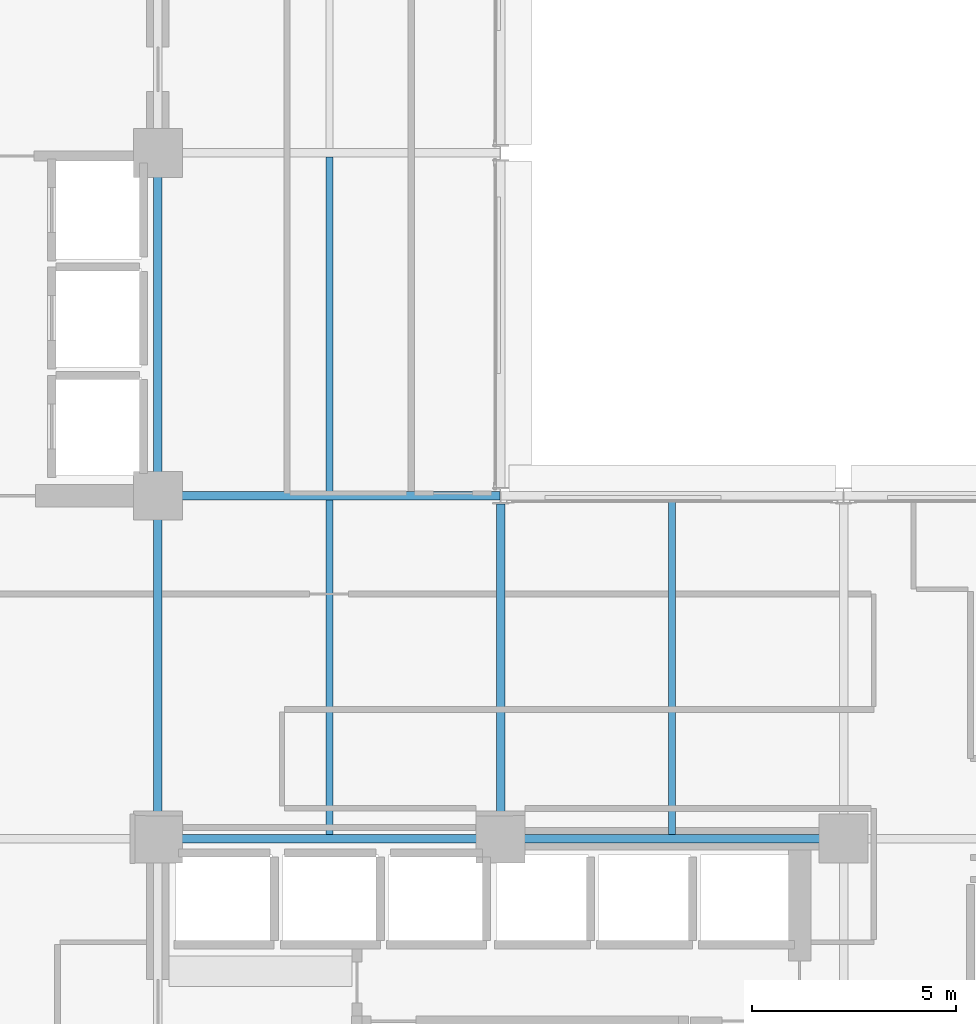
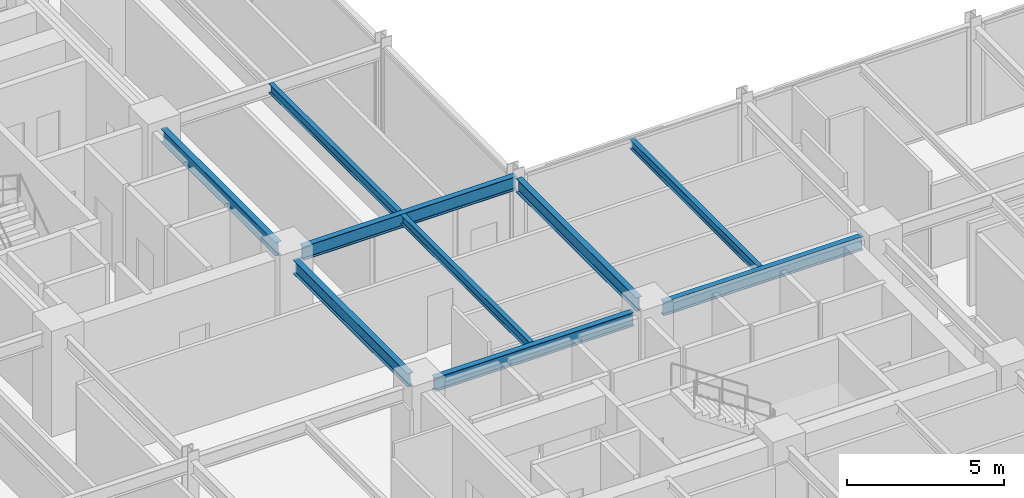
# One storey, part 14 of 40: 9 beams.
"""IFC4 building model written with IfcOpenShell, lengths in metres."""

from ifc_helpers import new_model, si_unit, direction, frame, origin, origin_2d, place, context, subcontext, project, spatial, i_section, extrude, material, material_profile, profile_set, type_object, element, save


model = new_model("IFC4")

# Units and contexts
model_context = context("Model", 3, precision=1e-05, world=origin(), true_north=direction((0.0, 1.0)))
body_context = subcontext(model_context, "Body", "Model", "MODEL_VIEW")
ifc_project = project(units=[si_unit("LENGTHUNIT", "METRE"), si_unit("AREAUNIT", "SQUARE_METRE"), si_unit("VOLUMEUNIT", "CUBIC_METRE"), si_unit("PLANEANGLEUNIT", "RADIAN"), si_unit("MASSUNIT", "GRAM", prefix="KILO")], contexts=[model_context])

# Site, building, storey
site_placement = place(None, origin())
site = spatial("IfcSite", under=ifc_project, at=site_placement, CompositionType="ELEMENT")
building_placement = place(site_placement, origin())
building = spatial("IfcBuilding", under=site, at=building_placement, Name="Nerrivon Quay Data Exchange", CompositionType="ELEMENT")
storey_placement = place(building_placement, frame((0.0, 0.0, 109.0)))
storey = spatial("IfcBuildingStorey", under=building, at=storey_placement, Name="L25", CompositionType="ELEMENT", Elevation=109.0)

# Beams
ifc_material = material(Name="Steel Grade 350", Category="steel")
ifc_material_profile_1 = material_profile(ifc_material, i_section(OverallWidth=0.208984375, OverallDepth=0.532958984375, WebThickness=0.01025390625, FlangeThickness=0.015625, FilletRadius=0.013916015625, at=origin_2d()), Name="530UB92.4")
ifc_profile_set_1 = profile_set([ifc_material_profile_1], Name="Steel Grade 350")
beam_type_1 = type_object("IfcBeamType", Name="BM-G3-530UB92", PredefinedType="BEAM", material=ifc_profile_set_1)
beam_1_placement = place(storey_placement, frame((17.340087890625, 16.800048828125, 3.4833984375), z_axis=(1.0, 0.0, 0.0), x_axis=(0.0, 1.0, 0.0)))
element("IfcBeam", 1, at=beam_1_placement, inside=storey, type_object=beam_type_1, Name="L25 EW Girder Y=16.8 (16.8..25.2)", PredefinedType="BEAM", context=body_context, shape_type="SweptSolid", body=[
    extrude(i_section(OverallWidth=0.208984375, OverallDepth=0.532958984375, WebThickness=0.01025390625, FlangeThickness=0.015625, FilletRadius=0.013916015625, at=origin_2d()), origin(), (0.0, 0.0, 1.0), 7.31982421875),
])
beam_2_placement = place(storey_placement, frame((25.739990234375, 16.800048828125, 3.4833984375), z_axis=(1.0, 0.0, 0.0), x_axis=(0.0, 1.0, 0.0)))
element("IfcBeam", 2, at=beam_2_placement, inside=storey, type_object=beam_type_1, Name="L25 EW Girder Y=16.8 (25.2..33.6)", PredefinedType="BEAM", context=body_context, shape_type="SweptSolid", body=[
    extrude(i_section(OverallWidth=0.208984375, OverallDepth=0.532958984375, WebThickness=0.01025390625, FlangeThickness=0.015625, FilletRadius=0.013916015625, at=origin_2d()), origin(), (0.0, 0.0, 1.0), 7.320068359375),
])
beam_3_placement = place(storey_placement, frame((17.340087890625, 25.199951171875, 3.4833984375), z_axis=(1.0, 0.0, 0.0), x_axis=(0.0, 1.0, 0.0)))
element("IfcBeam", 3, at=beam_3_placement, inside=storey, type_object=beam_type_1, Name="L25 EW Girder Y=25.2 (16.8..25.2)", PredefinedType="BEAM", context=body_context, shape_type="SweptSolid", body=[
    extrude(i_section(OverallWidth=0.208984375, OverallDepth=0.532958984375, WebThickness=0.01025390625, FlangeThickness=0.015625, FilletRadius=0.013916015625, at=origin_2d()), origin(), (0.0, 0.0, 1.0), 7.847412109375),
])
ifc_material_profile_2 = material_profile(ifc_material, i_section(OverallWidth=0.208984375, OverallDepth=0.528076171875, WebThickness=0.009521484375, FlangeThickness=0.01318359375, FilletRadius=0.013916015625, at=origin_2d()), Name="530UB82.0")
ifc_profile_set_2 = profile_set([ifc_material_profile_2], Name="Steel Grade 350")
beam_type_2 = type_object("IfcBeamType", Name="BM-G4-530UB82", PredefinedType="BEAM", material=ifc_profile_set_2)
beam_4_placement = place(storey_placement, frame((16.800048828125, 17.340087890625, 3.486083984375), z_axis=(0.0, 1.0, 0.0), x_axis=(-1.0, 0.0, 0.0)))
element("IfcBeam", 4, at=beam_4_placement, inside=storey, type_object=beam_type_2, Name="L25 NS Girder X=16.8 (16.8..25.2)", PredefinedType="BEAM", context=body_context, shape_type="SweptSolid", body=[
    extrude(i_section(OverallWidth=0.208984375, OverallDepth=0.528076171875, WebThickness=0.009521484375, FlangeThickness=0.01318359375, FilletRadius=0.013916015625, at=origin_2d()), origin(), (0.0, 0.0, 1.0), 7.31982421875),
])
beam_5_placement = place(storey_placement, frame((16.800048828125, 25.739990234375, 3.486083984375), z_axis=(0.0, 1.0, 0.0), x_axis=(-1.0, 0.0, 0.0)))
element("IfcBeam", 5, at=beam_5_placement, inside=storey, type_object=beam_type_2, Name="L25 NS Girder X=16.8 (25.2..33.6)", PredefinedType="BEAM", context=body_context, shape_type="SweptSolid", body=[
    extrude(i_section(OverallWidth=0.208984375, OverallDepth=0.528076171875, WebThickness=0.009521484375, FlangeThickness=0.01318359375, FilletRadius=0.013916015625, at=origin_2d()), origin(), (0.0, 0.0, 1.0), 7.320068359375),
])
beam_6_placement = place(storey_placement, frame((25.199951171875, 17.340087890625, 3.486083984375), z_axis=(0.0, 1.0, 0.0), x_axis=(-1.0, 0.0, 0.0)))
element("IfcBeam", 6, at=beam_6_placement, inside=storey, type_object=beam_type_2, Name="L25 NS Girder X=25.2 (16.8..25.2)", PredefinedType="BEAM", context=body_context, shape_type="SweptSolid", body=[
    extrude(i_section(OverallWidth=0.208984375, OverallDepth=0.528076171875, WebThickness=0.009521484375, FlangeThickness=0.01318359375, FilletRadius=0.013916015625, at=origin_2d()), origin(), (0.0, 0.0, 1.0), 7.659912109375),
])
ifc_material_profile_3 = material_profile(ifc_material, i_section(OverallWidth=0.1708984375, OverallDepth=0.35595703125, WebThickness=0.00732421875, FlangeThickness=0.011474609375, FilletRadius=0.011474609375, at=origin_2d()), Name="360UB50.7")
ifc_profile_set_3 = profile_set([ifc_material_profile_3], Name="Steel Grade 350")
beam_type_3 = type_object("IfcBeamType", Name="BM-J4-360UB51", PredefinedType="JOIST", material=ifc_profile_set_3)
beam_7_placement = place(storey_placement, frame((21.0, 16.904541015625, 3.572021484375), z_axis=(0.0, 1.0, 0.0), x_axis=(-1.0, 0.0, 0.0)))
element("IfcBeam", 7, at=beam_7_placement, inside=storey, type_object=beam_type_3, Name="L25 Secondary Joist X=21.0 (16.8..25.2)", PredefinedType="JOIST", context=body_context, shape_type="SweptSolid", body=[
    extrude(i_section(OverallWidth=0.1708984375, OverallDepth=0.35595703125, WebThickness=0.00732421875, FlangeThickness=0.011474609375, FilletRadius=0.011474609375, at=origin_2d()), origin(), (0.0, 0.0, 1.0), 8.19091796875),
])
beam_8_placement = place(storey_placement, frame((21.0, 25.304443359375, 3.572021484375), z_axis=(0.0, 1.0, 0.0), x_axis=(-1.0, 0.0, 0.0)))
element("IfcBeam", 8, at=beam_8_placement, inside=storey, type_object=beam_type_3, Name="L25 Secondary Joist X=21.0 (25.2..33.6)", PredefinedType="JOIST", context=body_context, shape_type="SweptSolid", body=[
    extrude(i_section(OverallWidth=0.1708984375, OverallDepth=0.35595703125, WebThickness=0.00732421875, FlangeThickness=0.011474609375, FilletRadius=0.011474609375, at=origin_2d()), origin(), (0.0, 0.0, 1.0), 8.191162109375),
])
beam_9_placement = place(storey_placement, frame((29.39990234375, 16.904541015625, 3.572021484375), z_axis=(0.0, 1.0, 0.0), x_axis=(-1.0, 0.0, 0.0)))
element("IfcBeam", 9, at=beam_9_placement, inside=storey, type_object=beam_type_3, Name="L25 Secondary Joist X=29.4 (16.8..25.2)", PredefinedType="JOIST", context=body_context, shape_type="SweptSolid", body=[
    extrude(i_section(OverallWidth=0.1708984375, OverallDepth=0.35595703125, WebThickness=0.00732421875, FlangeThickness=0.011474609375, FilletRadius=0.011474609375, at=origin_2d()), origin(), (0.0, 0.0, 1.0), 8.19091796875),
])

save(model, "model.ifc")
